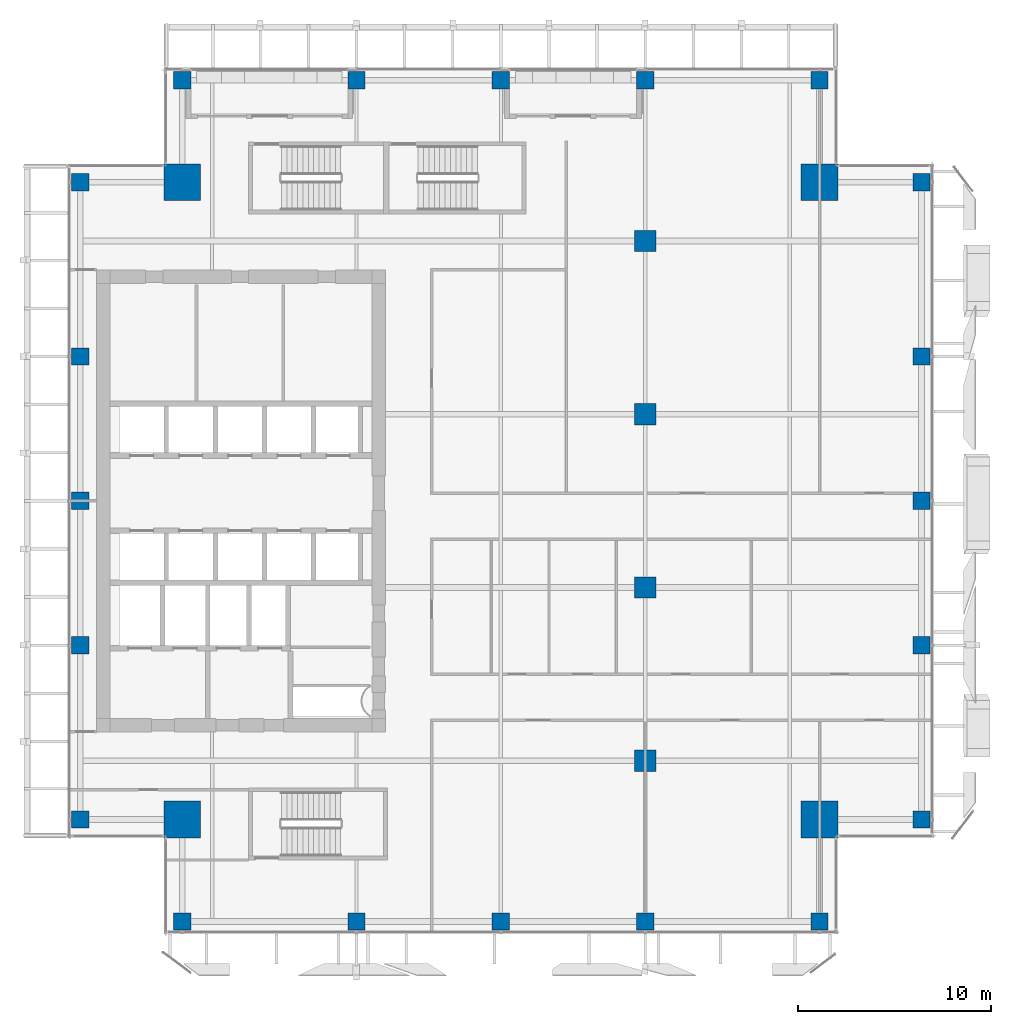
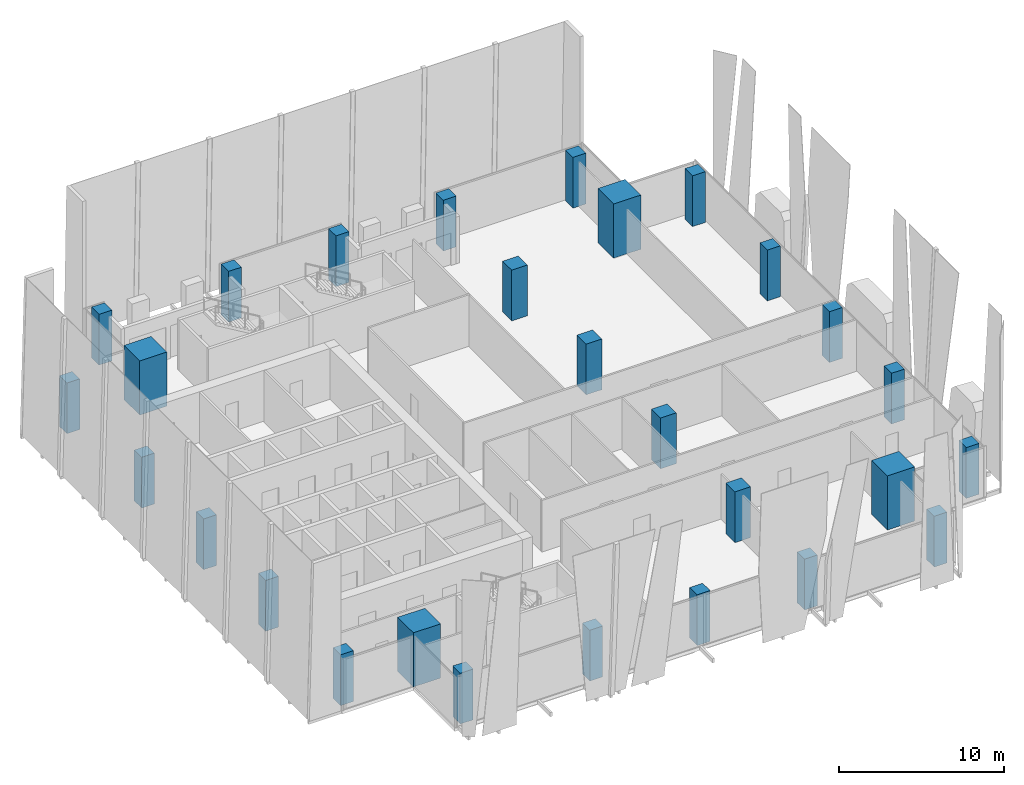
# One storey, part 1 of 33: 28 columns.
"""IFC4 building model written with IfcOpenShell, lengths in metres."""

from ifc_helpers import new_model, si_unit, direction, frame, origin, origin_2d, place, context, subcontext, project, spatial, rectangle, extrude, source, transform, mapped, material, material_profile, profile_set, type_object, element, save


model = new_model("IFC4")

# Units and contexts
model_context = context("Model", 3, precision=1e-05, world=origin(), true_north=direction((0.0, 1.0)))
body_context = subcontext(model_context, "Body", "Model", "MODEL_VIEW")
ifc_project = project(units=[si_unit("LENGTHUNIT", "METRE"), si_unit("AREAUNIT", "SQUARE_METRE"), si_unit("VOLUMEUNIT", "CUBIC_METRE"), si_unit("PLANEANGLEUNIT", "RADIAN"), si_unit("MASSUNIT", "GRAM", prefix="KILO")], contexts=[model_context])

# Site, building, storey
site_placement = place(None, origin())
site = spatial("IfcSite", under=ifc_project, at=site_placement, CompositionType="ELEMENT")
building_placement = place(site_placement, origin())
building = spatial("IfcBuilding", under=site, at=building_placement, Name="Khomas Fold Tower", CompositionType="ELEMENT")
storey_placement = place(building_placement, frame((0.0, 0.0, 234.199951171875)))
storey = spatial("IfcBuildingStorey", under=building, at=storey_placement, Name="L52", CompositionType="ELEMENT", Elevation=234.199951171875)

# Columns
ifc_material_1 = material(Name="Concrete C60/75", Category="concrete")
ifc_material_profile_1 = material_profile(ifc_material_1, rectangle(XDim=1.89990234375, YDim=1.89990234375, at=origin_2d()), Name="RC 1900x1900")
ifc_profile_set_1 = profile_set([ifc_material_profile_1], Name="Concrete C60/75")
column_type_1 = type_object("IfcColumnType", Name="RC 1900x1900 column", PredefinedType="COLUMN", material=ifc_profile_set_1)
shared_shape_1 = source(origin(), body_context, "Body", "SweptSolid", [
    extrude(rectangle(XDim=1.89990234375, YDim=1.89990234375, at=origin_2d()), origin(), (0.0, 0.0, 1.0), 4.0),
])
for number, where, z_axis, x_axis, name in (
    (1, (43.550048828125, 43.550048828125, 0.0), (0.0, 0.0, 1.0), (1.0, 0.0, 0.0), "CM-NE"),
    (2, (10.449951171875, 43.550048828125, 0.0), (0.0, 0.0, 1.0), (1.0, 0.0, 0.0), "CM-NW"),
    (3, (43.550048828125, 10.449951171875, 0.0), (0.0, 0.0, 1.0), (1.0, 0.0, 0.0), "CM-SE"),
    (4, (10.449951171875, 10.449951171875, 0.0), (0.0, 0.0, 1.0), (1.0, 0.0, 0.0), "CM-SW"),
):
    element("IfcColumn", number, at=place(storey_placement, frame(where, z_axis=z_axis, x_axis=x_axis)), inside=storey, type_object=column_type_1, Name=name, PredefinedType="COLUMN", context=body_context, shape_type="MappedRepresentation", body=[
        mapped(shared_shape_1, transform((0.0, 0.0, 0.0))),
    ])
ifc_material_2 = material(Name="Concrete C50/60", Category="concrete")
ifc_material_profile_2 = material_profile(ifc_material_2, rectangle(XDim=0.89990234375, YDim=0.89990234375, at=origin_2d()), Name="RC 900x900")
ifc_profile_set_2 = profile_set([ifc_material_profile_2], Name="Concrete C50/60")
column_type_2 = type_object("IfcColumnType", Name="RC 900x900 column", PredefinedType="COLUMN", material=ifc_profile_set_2)
shared_shape_2 = source(origin(), body_context, "Body", "SweptSolid", [
    extrude(rectangle(XDim=0.89990234375, YDim=0.89990234375, at=origin_2d()), origin(), (0.0, 0.0, 1.0), 3.75),
])
for number, where, z_axis, x_axis, name in (
    (5, (10.449951171875, 5.14990234375, 0.0), (0.0, 0.0, 1.0), (1.0, 0.0, 0.0), "C-5-SF4"),
    (6, (19.5, 5.14990234375, 0.0), (0.0, 0.0, 1.0), (1.0, 0.0, 0.0), "C-8-SF4"),
    (7, (27.0, 5.14990234375, 0.0), (0.0, 0.0, 1.0), (1.0, 0.0, 0.0), "C-9-SF4"),
    (8, (34.5, 5.14990234375, 0.0), (0.0, 0.0, 1.0), (1.0, 0.0, 0.0), "C-10-SF4"),
    (9, (43.550048828125, 5.14990234375, 0.0), (0.0, 0.0, 1.0), (1.0, 0.0, 0.0), "C-14-SF4"),
    (10, (48.85009765625, 10.449951171875, 0.0), (0.0, 0.0, 1.0), (1.0, 0.0, 0.0), "C-E4-E"),
    (11, (48.85009765625, 19.5, 0.0), (0.0, 0.0, 1.0), (1.0, 0.0, 0.0), "C-E4-J"),
    (12, (48.85009765625, 27.0, 0.0), (0.0, 0.0, 1.0), (1.0, 0.0, 0.0), "C-E4-L"),
    (13, (48.85009765625, 34.5, 0.0), (0.0, 0.0, 1.0), (1.0, 0.0, 0.0), "C-E4-N"),
    (14, (48.85009765625, 43.550048828125, 0.0), (0.0, 0.0, 1.0), (1.0, 0.0, 0.0), "C-E4-S"),
    (15, (10.449951171875, 48.85009765625, 0.0), (0.0, 0.0, 1.0), (1.0, 0.0, 0.0), "C-5-NF4"),
    (16, (19.5, 48.85009765625, 0.0), (0.0, 0.0, 1.0), (1.0, 0.0, 0.0), "C-8-NF4"),
    (17, (27.0, 48.85009765625, 0.0), (0.0, 0.0, 1.0), (1.0, 0.0, 0.0), "C-9-NF4"),
    (18, (34.5, 48.85009765625, 0.0), (0.0, 0.0, 1.0), (1.0, 0.0, 0.0), "C-10-NF4"),
    (19, (43.550048828125, 48.85009765625, 0.0), (0.0, 0.0, 1.0), (1.0, 0.0, 0.0), "C-14-NF4"),
    (20, (5.14990234375, 10.449951171875, 0.0), (0.0, 0.0, 1.0), (1.0, 0.0, 0.0), "C-W4-E"),
    (21, (5.14990234375, 19.5, 0.0), (0.0, 0.0, 1.0), (1.0, 0.0, 0.0), "C-W4-J"),
    (22, (5.14990234375, 27.0, 0.0), (0.0, 0.0, 1.0), (1.0, 0.0, 0.0), "C-W4-L"),
    (23, (5.14990234375, 34.5, 0.0), (0.0, 0.0, 1.0), (1.0, 0.0, 0.0), "C-W4-N"),
    (24, (5.14990234375, 43.550048828125, 0.0), (0.0, 0.0, 1.0), (1.0, 0.0, 0.0), "C-W4-S"),
):
    element("IfcColumn", number, at=place(storey_placement, frame(where, z_axis=z_axis, x_axis=x_axis)), inside=storey, type_object=column_type_2, Name=name, PredefinedType="COLUMN", context=body_context, shape_type="MappedRepresentation", body=[
        mapped(shared_shape_2, transform((0.0, 0.0, 0.0))),
    ])
ifc_material_3 = material(Name="Concrete C50/60", Category="concrete")
ifc_material_profile_3 = material_profile(ifc_material_3, rectangle(XDim=1.10009765625, YDim=1.10009765625, at=origin_2d()), Name="RC 1100x1100")
ifc_profile_set_3 = profile_set([ifc_material_profile_3], Name="Concrete C50/60")
column_type_3 = type_object("IfcColumnType", Name="RC 1100x1100 column", PredefinedType="COLUMN", material=ifc_profile_set_3)
shared_shape_3 = source(origin(), body_context, "Body", "SweptSolid", [
    extrude(rectangle(XDim=1.10009765625, YDim=1.10009765625, at=origin_2d()), origin(), (0.0, 0.0, 1.0), 3.75),
])
for number, where, z_axis, x_axis, name in (
    (25, (34.5, 13.5, 0.0), (0.0, 0.0, 1.0), (1.0, 0.0, 0.0), "C-10-H"),
    (26, (34.5, 22.5, 0.0), (0.0, 0.0, 1.0), (1.0, 0.0, 0.0), "C-10-K"),
    (27, (34.5, 31.5, 0.0), (0.0, 0.0, 1.0), (1.0, 0.0, 0.0), "C-10-M"),
    (28, (34.5, 40.5, 0.0), (0.0, 0.0, 1.0), (1.0, 0.0, 0.0), "C-10-P"),
):
    element("IfcColumn", number, at=place(storey_placement, frame(where, z_axis=z_axis, x_axis=x_axis)), inside=storey, type_object=column_type_3, Name=name, PredefinedType="COLUMN", context=body_context, shape_type="MappedRepresentation", body=[
        mapped(shared_shape_3, transform((0.0, 0.0, 0.0))),
    ])

save(model, "model.ifc")
